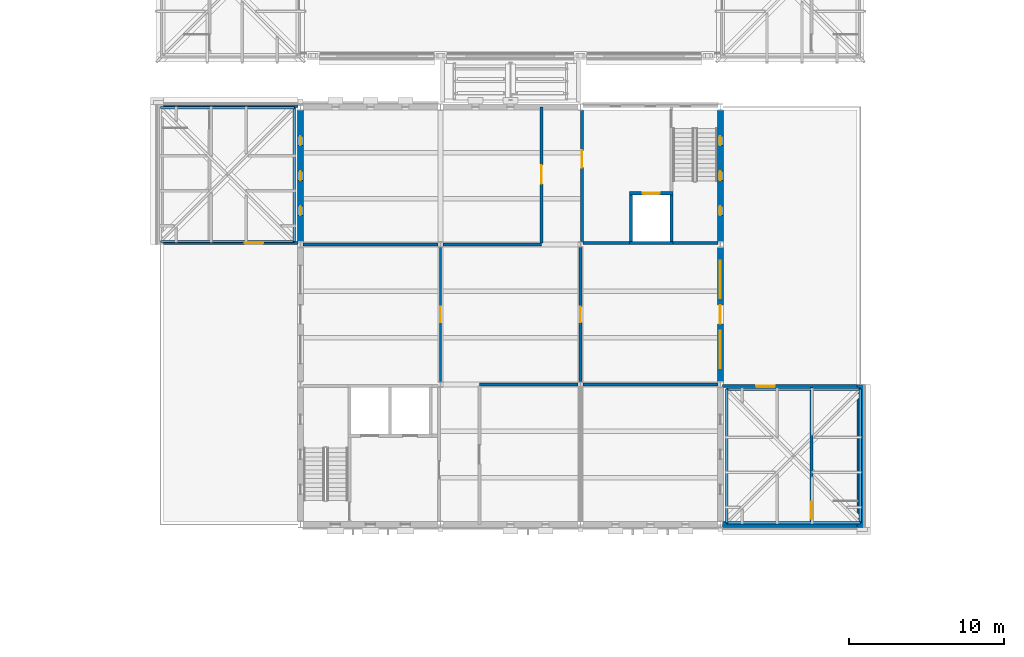
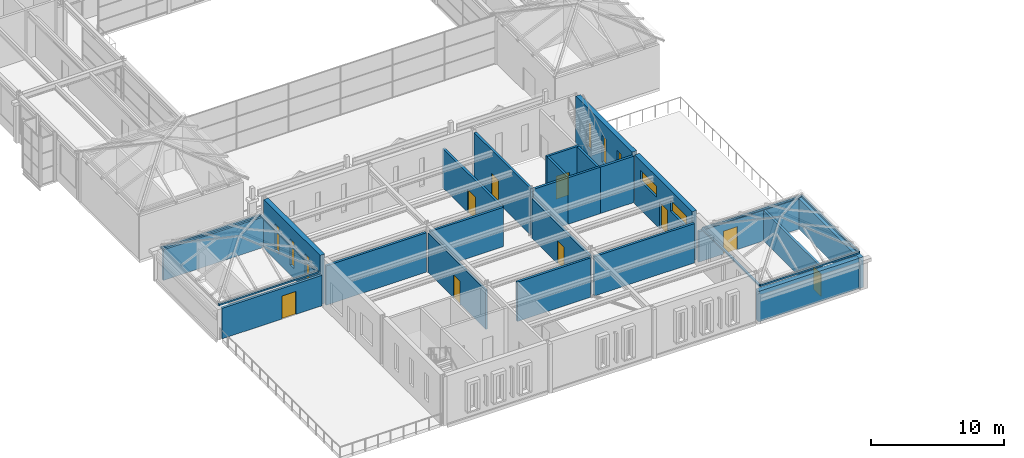
# One storey, part 90 of 149: 30 walls, 9 doors, 8 windows, 17 openings.
"""IFC4 building model written with IfcOpenShell, lengths in metres."""

from ifc_helpers import new_model, si_unit, direction, frame, frame_2d, origin, place, context, subcontext, project, spatial, rectangle, extrude, material, layer, layer_set, type_object, element, fill, save


model = new_model("IFC4")

# Units and contexts
model_context = context("Model", 3, precision=1e-05, world=origin(), true_north=direction((0.0, 1.0)))
body_context = subcontext(model_context, "Body", "Model", "MODEL_VIEW")
ifc_project = project(units=[si_unit("LENGTHUNIT", "METRE"), si_unit("AREAUNIT", "SQUARE_METRE"), si_unit("VOLUMEUNIT", "CUBIC_METRE"), si_unit("PLANEANGLEUNIT", "RADIAN"), si_unit("MASSUNIT", "GRAM", prefix="KILO")], contexts=[model_context])

# Site, building, storey
site_placement = place(None, origin())
site = spatial("IfcSite", under=ifc_project, at=site_placement, CompositionType="ELEMENT")
building_placement = place(site_placement, origin())
building = spatial("IfcBuilding", under=site, at=building_placement, Name="Kallimachos Central Library", CompositionType="ELEMENT")
storey_placement = place(building_placement, frame((0.0, 0.0, 9.89990234375)))
storey = spatial("IfcBuildingStorey", under=building, at=storey_placement, Name="L02", CompositionType="ELEMENT", Elevation=9.89990234375)

# Walls
ifc_material_1 = material(Name="Concrete C30/37", Category="concrete")
ifc_layer_1 = layer(ifc_material_1, 0.199951171875)
ifc_layer_set_1 = layer_set([ifc_layer_1], Name="Compartment wall 200")
wall_type_1 = type_object("IfcWallType", Name="Compartment wall 200", PredefinedType="SOLIDWALL", material=ifc_layer_set_1)
wall_1_placement = place(storey_placement, frame((86.0, 27.0, 0.0), z_axis=(0.0, 0.0, 1.0), x_axis=(1.0, 0.0, 0.0)))
element("IfcWall", 1, at=wall_1_placement, inside=storey, type_object=wall_type_1, Name="V5-WAL-L02-047", PredefinedType="SOLIDWALL", context=body_context, shape_type="SweptSolid", body=[
    extrude(rectangle(XDim=6.345458984375, YDim=0.199951171875, at=frame_2d((3.1728515625, 0.0))), origin(), (0.0, 0.0, 1.0), 3.60009765625),
])
for number, where, z_axis, x_axis, name in (
    (2, (92.654541015625, 27.0, 0.0), (0.0, 0.0, 1.0), (1.0, 0.0, 0.0), "V5-WAL-L02-048"),
    (3, (74.64990234375, 36.0, 0.0), (0.0, 0.0, 1.0), (1.0, 0.0, 0.0), "V5-WAL-L02-049"),
):
    element("IfcWall", number, at=place(storey_placement, frame(where, z_axis=z_axis, x_axis=x_axis)), inside=storey, type_object=wall_type_1, Name=name, PredefinedType="SOLIDWALL", context=body_context, shape_type="SweptSolid", body=[
        extrude(rectangle(XDim=8.695556640625, YDim=0.199951171875, at=frame_2d((4.34765625, 0.0))), origin(), (0.0, 0.0, 1.0), 3.60009765625),
    ])
wall_2_placement = place(storey_placement, frame((83.654541015625, 36.0, 0.0), z_axis=(0.0, 0.0, 1.0), x_axis=(1.0, 0.0, 0.0)))
element("IfcWall", 4, at=wall_2_placement, inside=storey, type_object=wall_type_1, Name="V5-WAL-L02-050", PredefinedType="SOLIDWALL", context=body_context, shape_type="SweptSolid", body=[
    extrude(rectangle(XDim=6.345458984375, YDim=0.199951171875, at=frame_2d((3.1728515625, 0.0))), origin(), (0.0, 0.0, 1.0), 3.60009765625),
])

# Wall, opening, door
wall_3_placement = place(storey_placement, frame((90.0, 36.10009765625, 0.0), z_axis=(0.0, 0.0, 1.0), x_axis=(0.0, 1.0, 0.0)))
wall_3 = element("IfcWall", 5, at=wall_3_placement, inside=storey, type_object=wall_type_1, Name="V5-WAL-L02-053", PredefinedType="SOLIDWALL", context=body_context, shape_type="SweptSolid", body=[
    extrude(rectangle(XDim=8.75, YDim=0.199951171875, at=frame_2d((4.375, 0.0))), origin(), (0.0, 0.0, 1.0), 3.60009765625),
])
opening_1_placement = place(wall_3_placement, frame((3.800048828125, 0.0, 0.0)))
opening_1 = element("IfcOpeningElement", 6, at=opening_1_placement, cuts=wall_3, Name="Opening D118", PredefinedType="OPENING", context=body_context, shape_type="SweptSolid", body=[
    extrude(rectangle(XDim=1.199951171875, YDim=2.10009765625, at=frame_2d((0.60009765625, 1.050048828125))), frame((0.0, 0.10986328125, 0.0), z_axis=(0.0, -1.0, 0.0), x_axis=(1.0, 0.0, 0.0)), (0.0, 0.0, 1.0), 0.219970703125),
])
ifc_material_2 = material(Name="Steel fire door", Category="steel")
door_type_1 = type_object("IfcDoorType", Name="Fire door EI2 90 1200 x 2100", OperationType="DOUBLE_DOOR_SINGLE_SWING", PredefinedType="DOOR", material=ifc_material_2)
door_1_placement = place(opening_1_placement, origin())
door_1 = element("IfcDoor", 7, at=door_1_placement, inside=storey, type_object=door_type_1, Name="Archive Store 1 door", OperationType="DOUBLE_DOOR_SINGLE_SWING", OverallHeight=2.10009765625, OverallWidth=1.199951171875, PredefinedType="DOOR", context=body_context, shape_type="SweptSolid", body=[
    extrude(rectangle(XDim=1.199951171875, YDim=2.10009765625, at=frame_2d((0.60009765625, 1.050048828125))), frame((0.0, 0.02490234375, 0.0), z_axis=(0.0, -1.0, 0.0), x_axis=(1.0, 0.0, 0.0)), (0.0, 0.0, 1.0), 0.050048828125),
])
fill(opening_1, door_1)

wall_4_placement = place(storey_placement, frame((92.5, 27.1884765625, 0.0), z_axis=(0.0, 0.0, 1.0), x_axis=(0.0, 1.0, 0.0)))
wall_4 = element("IfcWall", 8, at=wall_4_placement, inside=storey, type_object=wall_type_1, Name="V5-WAL-L02-054", PredefinedType="SOLIDWALL", context=body_context, shape_type="SweptSolid", body=[
    extrude(rectangle(XDim=8.623046875, YDim=0.199951171875, at=frame_2d((4.3115234375, 0.0))), origin(), (0.0, 0.0, 1.0), 3.60009765625),
])
opening_2_placement = place(wall_4_placement, frame((3.8115234375, 0.0, 0.0)))
opening_2 = element("IfcOpeningElement", 9, at=opening_2_placement, cuts=wall_4, Name="Opening D120", PredefinedType="OPENING", context=body_context, shape_type="SweptSolid", body=[
    extrude(rectangle(XDim=1.0, YDim=2.10009765625, at=frame_2d((0.5, 1.050048828125))), frame((0.0, 0.10986328125, 0.0), z_axis=(0.0, -1.0, 0.0), x_axis=(1.0, 0.0, 0.0)), (0.0, 0.0, 1.0), 0.219970703125),
])
ifc_material_3 = material(Name="Steel fire door", Category="steel")
door_type_2 = type_object("IfcDoorType", Name="Fire door EI2 90 1000 x 2100", OperationType="NOTDEFINED", PredefinedType="DOOR", material=ifc_material_3)
door_2_placement = place(opening_2_placement, frame((1.0, 0.0, 0.0), z_axis=(0.0, 0.0, 1.0), x_axis=(-1.0, 0.0, 0.0)))
door_2 = element("IfcDoor", 10, at=door_2_placement, inside=storey, type_object=door_type_2, Name="Digitisation Room 2 door", OperationType="SINGLE_SWING_LEFT", OverallHeight=2.10009765625, OverallWidth=1.0, PredefinedType="DOOR", context=body_context, shape_type="SweptSolid", body=[
    extrude(rectangle(XDim=1.0, YDim=2.10009765625, at=frame_2d((0.5, 1.050048828125))), frame((0.0, 0.02490234375, 0.0), z_axis=(0.0, -1.0, 0.0), x_axis=(1.0, 0.0, 0.0)), (0.0, 0.0, 1.0), 0.050048828125),
])
fill(opening_2, door_2)

# Walls
ifc_material_4 = material(Name="Concrete C30/37", Category="concrete")
ifc_layer_2 = layer(ifc_material_4, 0.14990234375)
ifc_layer_set_2 = layer_set([ifc_layer_2], Name="Concrete C30/37 eaves kerb 150")
wall_type_2 = type_object("IfcWallType", Name="Concrete C30/37 eaves kerb 150", PredefinedType="SOLIDWALL", material=ifc_layer_set_2)
for number, where, z_axis, x_axis, name in (
    (11, (65.5, 36.199951171875, 3.0), (0.0, 0.0, 1.0), (1.0, 0.0, 0.0), "West stair hipped roof eaves kerb S"),
    (12, (65.5, 44.800048828125, 3.0), (0.0, 0.0, 1.0), (1.0, 0.0, 0.0), "West stair hipped roof eaves kerb N"),
    (13, (74.10009765625, 36.199951171875, 3.0), (0.0, 0.0, 1.0), (0.0, 1.0, 0.0), "West stair hipped roof eaves kerb E"),
    (14, (101.89990234375, 18.10009765625, 3.0), (0.0, 0.0, 1.0), (1.0, 0.0, 0.0), "East stair hipped roof eaves kerb S"),
    (15, (101.89990234375, 26.699951171875, 3.0), (0.0, 0.0, 1.0), (1.0, 0.0, 0.0), "East stair hipped roof eaves kerb N"),
):
    element("IfcWall", number, at=place(storey_placement, frame(where, z_axis=z_axis, x_axis=x_axis)), inside=storey, type_object=wall_type_2, Name=name, PredefinedType="SOLIDWALL", context=body_context, shape_type="SweptSolid", body=[
        extrude(rectangle(XDim=8.60009765625, YDim=0.14990234375, at=frame_2d((4.300048828125, 0.0))), origin(), (0.0, 0.0, 1.0), 0.150146484375),
    ])
for number, where, z_axis, x_axis, name in (
    (16, (101.89990234375, 18.10009765625, 3.0), (0.0, 0.0, 1.0), (0.0, 1.0, 0.0), "East stair hipped roof eaves kerb W"),
    (17, (110.5, 18.10009765625, 3.0), (0.0, 0.0, 1.0), (0.0, 1.0, 0.0), "East stair hipped roof eaves kerb E"),
):
    element("IfcWall", number, at=place(storey_placement, frame(where, z_axis=z_axis, x_axis=x_axis)), inside=storey, type_object=wall_type_2, Name=name, PredefinedType="SOLIDWALL", context=body_context, shape_type="SweptSolid", body=[
        extrude(rectangle(XDim=8.599853515625, YDim=0.14990234375, at=frame_2d((4.2998046875, 0.0))), origin(), (0.0, 0.0, 1.0), 0.150146484375),
    ])

# Wall, opening, door
ifc_material_5 = material(Name="Concrete C30/37", Category="concrete")
ifc_layer_3 = layer(ifc_material_5, 0.199951171875)
ifc_layer_set_3 = layer_set([ifc_layer_3], Name="Core wall 200")
wall_type_3 = type_object("IfcWallType", Name="Core wall 200", PredefinedType="SOLIDWALL", material=ifc_layer_set_3)
wall_5_placement = place(storey_placement, frame((65.699951171875, 36.10009765625, 0.0), z_axis=(0.0, 0.0, 1.0), x_axis=(1.0, 0.0, 0.0)))
wall_5 = element("IfcWall", 18, at=wall_5_placement, inside=storey, type_object=wall_type_3, Name="V5-WAL-L02-032", PredefinedType="SOLIDWALL", context=body_context, shape_type="SweptSolid", body=[
    extrude(rectangle(XDim=8.650146484375, YDim=0.199951171875, at=frame_2d((4.3251953125, 0.0))), origin(), (0.0, 0.0, 1.0), 2.800048828125),
])
opening_3_placement = place(wall_5_placement, frame((5.199951171875, 0.0, 0.0)))
opening_3 = element("IfcOpeningElement", 19, at=opening_3_placement, cuts=wall_5, Name="Opening D114", PredefinedType="OPENING", context=body_context, shape_type="SweptSolid", body=[
    extrude(rectangle(XDim=1.199951171875, YDim=2.10009765625, at=frame_2d((0.60009765625, 1.050048828125))), frame((0.0, 0.10986328125, 0.0), z_axis=(0.0, -1.0, 0.0), x_axis=(1.0, 0.0, 0.0)), (0.0, 0.0, 1.0), 0.219970703125),
])
door_3_placement = place(opening_3_placement, origin())
door_3 = element("IfcDoor", 20, at=door_3_placement, inside=storey, type_object=door_type_1, Name="ST15 lobby door L02", OperationType="DOUBLE_DOOR_SINGLE_SWING", OverallHeight=2.10009765625, OverallWidth=1.199951171875, PredefinedType="DOOR", context=body_context, shape_type="SweptSolid", body=[
    extrude(rectangle(XDim=1.199951171875, YDim=2.10009765625, at=frame_2d((0.60009765625, 1.050048828125))), frame((0.0, 0.02490234375, 0.0), z_axis=(0.0, -1.0, 0.0), x_axis=(1.0, 0.0, 0.0)), (0.0, 0.0, 1.0), 0.050048828125),
])
fill(opening_3, door_3)

wall_6_placement = place(storey_placement, frame((101.64990234375, 26.89990234375, 0.0), z_axis=(0.0, 0.0, 1.0), x_axis=(1.0, 0.0, 0.0)))
wall_6 = element("IfcWall", 21, at=wall_6_placement, inside=storey, type_object=wall_type_3, Name="V5-WAL-L02-035", PredefinedType="SOLIDWALL", context=body_context, shape_type="SweptSolid", body=[
    extrude(rectangle(XDim=8.650146484375, YDim=0.199951171875, at=frame_2d((4.3251953125, 0.0))), origin(), (0.0, 0.0, 1.0), 2.800048828125),
])
opening_4_placement = place(wall_6_placement, frame((2.14990234375, 0.0, 0.0)))
opening_4 = element("IfcOpeningElement", 22, at=opening_4_placement, cuts=wall_6, Name="Opening D116", PredefinedType="OPENING", context=body_context, shape_type="SweptSolid", body=[
    extrude(rectangle(XDim=1.199951171875, YDim=2.10009765625, at=frame_2d((0.60009765625, 1.050048828125))), frame((0.0, 0.10986328125, 0.0), z_axis=(0.0, -1.0, 0.0), x_axis=(1.0, 0.0, 0.0)), (0.0, 0.0, 1.0), 0.219970703125),
])
door_4_placement = place(opening_4_placement, origin())
door_4 = element("IfcDoor", 23, at=door_4_placement, inside=storey, type_object=door_type_1, Name="ST16 lobby door L02", OperationType="DOUBLE_DOOR_SINGLE_SWING", OverallHeight=2.10009765625, OverallWidth=1.199951171875, PredefinedType="DOOR", context=body_context, shape_type="SweptSolid", body=[
    extrude(rectangle(XDim=1.199951171875, YDim=2.10009765625, at=frame_2d((0.60009765625, 1.050048828125))), frame((0.0, 0.02490234375, 0.0), z_axis=(0.0, -1.0, 0.0), x_axis=(1.0, 0.0, 0.0)), (0.0, 0.0, 1.0), 0.050048828125),
])
fill(opening_4, door_4)

# Walls
wall_7_placement = place(storey_placement, frame((92.654541015625, 36.10009765625, 0.0), z_axis=(0.0, 0.0, 1.0), x_axis=(1.0, 0.0, 0.0)))
element("IfcWall", 24, at=wall_7_placement, inside=storey, type_object=wall_type_3, Name="V5-WAL-L02-041", PredefinedType="SOLIDWALL", context=body_context, shape_type="SweptSolid", body=[
    extrude(rectangle(XDim=2.995361328125, YDim=0.199951171875, at=frame_2d((1.49755859375, 0.0))), origin(), (0.0, 0.0, 1.0), 4.25),
])
wall_8_placement = place(storey_placement, frame((98.449951171875, 36.10009765625, 0.0), z_axis=(0.0, 0.0, 1.0), x_axis=(1.0, 0.0, 0.0)))
element("IfcWall", 25, at=wall_8_placement, inside=storey, type_object=wall_type_3, Name="V5-WAL-L02-042", PredefinedType="SOLIDWALL", context=body_context, shape_type="SweptSolid", body=[
    extrude(rectangle(XDim=2.900146484375, YDim=0.199951171875, at=frame_2d((1.4501953125, 0.0))), origin(), (0.0, 0.0, 1.0), 4.25),
])

# Wall, opening, door
wall_9_placement = place(storey_placement, frame((92.60009765625, 36.1884765625, 0.0), z_axis=(0.0, 0.0, 1.0), x_axis=(0.0, 1.0, 0.0)))
wall_9 = element("IfcWall", 26, at=wall_9_placement, inside=storey, type_object=wall_type_3, Name="V5-WAL-L02-043", PredefinedType="SOLIDWALL", context=body_context, shape_type="SweptSolid", body=[
    extrude(rectangle(XDim=8.46142578125, YDim=0.199951171875, at=frame_2d((4.230712890625, 0.0))), origin(), (0.0, 0.0, 1.0), 4.25),
])
opening_5_placement = place(wall_9_placement, frame((4.761474609375, 0.0, 0.0)))
opening_5 = element("IfcOpeningElement", 27, at=opening_5_placement, cuts=wall_9, Name="Opening D112", PredefinedType="OPENING", context=body_context, shape_type="SweptSolid", body=[
    extrude(rectangle(XDim=1.10009765625, YDim=2.10009765625, at=frame_2d((0.550048828125, 1.050048828125))), frame((0.0, 0.10986328125, 0.0), z_axis=(0.0, -1.0, 0.0), x_axis=(1.0, 0.0, 0.0)), (0.0, 0.0, 1.0), 0.219970703125),
])
ifc_material_6 = material(Name="Steel fire door", Category="steel")
door_type_3 = type_object("IfcDoorType", Name="Fire door EI2 90 1100 x 2100", OperationType="NOTDEFINED", PredefinedType="DOOR", material=ifc_material_6)
door_5_placement = place(opening_5_placement, frame((1.10009765625, 0.0, 0.0), z_axis=(0.0, 0.0, 1.0), x_axis=(-1.0, 0.0, 0.0)))
door_5 = element("IfcDoor", 28, at=door_5_placement, inside=storey, type_object=door_type_3, Name="ST14 lobby door L02", OperationType="SINGLE_SWING_LEFT", OverallHeight=2.10009765625, OverallWidth=1.10009765625, PredefinedType="DOOR", context=body_context, shape_type="SweptSolid", body=[
    extrude(rectangle(XDim=1.10009765625, YDim=2.10009765625, at=frame_2d((0.550048828125, 1.050048828125))), frame((0.0, 0.02490234375, 0.0), z_axis=(0.0, -1.0, 0.0), x_axis=(1.0, 0.0, 0.0)), (0.0, 0.0, 1.0), 0.050048828125),
])
fill(opening_5, door_5)

wall_10_placement = place(storey_placement, frame((107.35009765625, 18.199951171875, 0.0), z_axis=(0.0, 0.0, 1.0), x_axis=(0.0, 1.0, 0.0)))
wall_10 = element("IfcWall", 29, at=wall_10_placement, inside=storey, type_object=wall_type_3, Name="V5-WAL-L02-046", PredefinedType="SOLIDWALL", context=body_context, shape_type="SweptSolid", body=[
    extrude(rectangle(XDim=8.60009765625, YDim=0.199951171875, at=frame_2d((4.300048828125, 0.0))), origin(), (0.0, 0.0, 1.0), 2.800048828125),
])
opening_6_placement = place(wall_10_placement, frame((0.14990234375, 0.0, 0.0)))
opening_6 = element("IfcOpeningElement", 30, at=opening_6_placement, cuts=wall_10, Name="Opening D115", PredefinedType="OPENING", context=body_context, shape_type="SweptSolid", body=[
    extrude(rectangle(XDim=1.10009765625, YDim=2.10009765625, at=frame_2d((0.550048828125, 1.050048828125))), frame((0.0, 0.10986328125, 0.0), z_axis=(0.0, -1.0, 0.0), x_axis=(1.0, 0.0, 0.0)), (0.0, 0.0, 1.0), 0.219970703125),
])
door_6_placement = place(opening_6_placement, frame((1.10009765625, 0.0, 0.0), z_axis=(0.0, 0.0, 1.0), x_axis=(-1.0, 0.0, 0.0)))
door_6 = element("IfcDoor", 31, at=door_6_placement, inside=storey, type_object=door_type_3, Name="ST16 stair door L02", OperationType="SINGLE_SWING_LEFT", OverallHeight=2.10009765625, OverallWidth=1.10009765625, PredefinedType="DOOR", context=body_context, shape_type="SweptSolid", body=[
    extrude(rectangle(XDim=1.10009765625, YDim=2.10009765625, at=frame_2d((0.550048828125, 1.050048828125))), frame((0.0, 0.02490234375, 0.0), z_axis=(0.0, -1.0, 0.0), x_axis=(1.0, 0.0, 0.0)), (0.0, 0.0, 1.0), 0.050048828125),
])
fill(opening_6, door_6)

ifc_material_7 = material(Name="Gypsum board partition")
ifc_layer_4 = layer(ifc_material_7, 0.14990234375)
ifc_layer_set_4 = layer_set([ifc_layer_4], Name="Fire-resisting partition 150")
wall_type_4 = type_object("IfcWallType", Name="Fire-resisting partition 150", PredefinedType="PARTITIONING", material=ifc_layer_set_4)
wall_11_placement = place(storey_placement, frame((83.5, 27.1884765625, 0.0), z_axis=(0.0, 0.0, 1.0), x_axis=(0.0, 1.0, 0.0)))
wall_11 = element("IfcWall", 32, at=wall_11_placement, inside=storey, type_object=wall_type_4, Name="V5-WAL-L02-051", PredefinedType="PARTITIONING", context=body_context, shape_type="SweptSolid", body=[
    extrude(rectangle(XDim=8.623046875, YDim=0.14990234375, at=frame_2d((4.3115234375, 0.0))), origin(), (0.0, 0.0, 1.0), 3.60009765625),
])
opening_7_placement = place(wall_11_placement, frame((3.8115234375, 0.0, 0.0)))
opening_7 = element("IfcOpeningElement", 33, at=opening_7_placement, cuts=wall_11, Name="Opening D117", PredefinedType="OPENING", context=body_context, shape_type="SweptSolid", body=[
    extrude(rectangle(XDim=1.0, YDim=2.10009765625, at=frame_2d((0.5, 1.050048828125))), frame((0.0, 0.0849609375, 0.0), z_axis=(0.0, -1.0, 0.0), x_axis=(1.0, 0.0, 0.0)), (0.0, 0.0, 1.0), 0.169921875),
])
ifc_material_8 = material(Name="Steel fire door", Category="steel")
door_type_4 = type_object("IfcDoorType", Name="Fire door EI2 30 1000 x 2100", OperationType="NOTDEFINED", PredefinedType="DOOR", material=ifc_material_8)
door_7_placement = place(opening_7_placement, origin())
door_7 = element("IfcDoor", 34, at=door_7_placement, inside=storey, type_object=door_type_4, Name="Staff Room door", OperationType="SINGLE_SWING_RIGHT", OverallHeight=2.10009765625, OverallWidth=1.0, PredefinedType="DOOR", context=body_context, shape_type="SweptSolid", body=[
    extrude(rectangle(XDim=1.0, YDim=2.10009765625, at=frame_2d((0.5, 1.050048828125))), frame((0.0, 0.02490234375, 0.0), z_axis=(0.0, -1.0, 0.0), x_axis=(1.0, 0.0, 0.0)), (0.0, 0.0, 1.0), 0.050048828125),
])
fill(opening_7, door_7)

# Wall
ifc_material_9 = material(Name="Concrete C30/37", Category="concrete")
ifc_layer_5 = layer(ifc_material_9, 0.199951171875)
ifc_layer_set_5 = layer_set([ifc_layer_5], Name="Lift shaft wall 200")
wall_type_5 = type_object("IfcWallType", Name="Lift shaft wall 200", PredefinedType="SOLIDWALL", material=ifc_layer_set_5)
wall_12_placement = place(storey_placement, frame((95.64990234375, 36.10009765625, 0.0), z_axis=(0.0, 0.0, 1.0), x_axis=(1.0, 0.0, 0.0)))
element("IfcWall", 35, at=wall_12_placement, inside=storey, type_object=wall_type_5, Name="V5-WAL-L02-006", PredefinedType="SOLIDWALL", context=body_context, shape_type="SweptSolid", body=[
    extrude(rectangle(XDim=2.800048828125, YDim=0.199951171875, at=frame_2d((1.39990234375, 0.0))), origin(), (0.0, 0.0, 1.0), 4.25),
])

# Wall, opening, door
wall_13_placement = place(storey_placement, frame((95.64990234375, 39.300048828125, 0.0), z_axis=(0.0, 0.0, 1.0), x_axis=(1.0, 0.0, 0.0)))
wall_13 = element("IfcWall", 36, at=wall_13_placement, inside=storey, type_object=wall_type_5, Name="V5-WAL-L02-007", PredefinedType="SOLIDWALL", context=body_context, shape_type="SweptSolid", body=[
    extrude(rectangle(XDim=2.800048828125, YDim=0.199951171875, at=frame_2d((1.39990234375, 0.0))), origin(), (0.0, 0.0, 1.0), 4.25),
])
opening_8_placement = place(wall_13_placement, frame((0.85009765625, 0.0, 0.0)))
opening_8 = element("IfcOpeningElement", 37, at=opening_8_placement, cuts=wall_13, Name="Opening LD1100", PredefinedType="OPENING", context=body_context, shape_type="SweptSolid", body=[
    extrude(rectangle(XDim=1.10009765625, YDim=2.10009765625, at=frame_2d((0.550048828125, 1.050048828125))), frame((0.0, 0.10986328125, 0.0), z_axis=(0.0, -1.0, 0.0), x_axis=(1.0, 0.0, 0.0)), (0.0, 0.0, 1.0), 0.219970703125),
])
ifc_material_10 = material(Name="Stainless steel", Category="steel")
door_type_5 = type_object("IfcDoorType", Name="Lift landing door 1100 x 2100", OperationType="SLIDING_TO_LEFT", PredefinedType="DOOR", material=ifc_material_10)
door_8_placement = place(opening_8_placement, origin())
door_8 = element("IfcDoor", 38, at=door_8_placement, inside=storey, type_object=door_type_5, Name="LF13 landing door L02", OperationType="SLIDING_TO_LEFT", OverallHeight=2.10009765625, OverallWidth=1.10009765625, PredefinedType="DOOR", context=body_context, shape_type="SweptSolid", body=[
    extrude(rectangle(XDim=1.10009765625, YDim=2.10009765625, at=frame_2d((0.550048828125, 1.050048828125))), frame((0.0, 0.02490234375, 0.0), z_axis=(0.0, -1.0, 0.0), x_axis=(1.0, 0.0, 0.0)), (0.0, 0.0, 1.0), 0.050048828125),
])
fill(opening_8, door_8)

# Walls
for number, where, z_axis, x_axis, name in (
    (39, (95.75, 36.199951171875, 0.0), (0.0, 0.0, 1.0), (0.0, 1.0, 0.0), "V5-WAL-L02-008"),
    (40, (98.35009765625, 36.199951171875, 0.0), (0.0, 0.0, 1.0), (0.0, 1.0, 0.0), "V5-WAL-L02-009"),
):
    element("IfcWall", number, at=place(storey_placement, frame(where, z_axis=z_axis, x_axis=x_axis)), inside=storey, type_object=wall_type_5, Name=name, PredefinedType="SOLIDWALL", context=body_context, shape_type="SweptSolid", body=[
        extrude(rectangle(XDim=3.0, YDim=0.199951171875, at=frame_2d((1.5, 0.0))), origin(), (0.0, 0.0, 1.0), 4.25),
    ])

# Wall, openings, windows, door
ifc_material_11 = material(Name="Pentelic marble masonry", Category="masonry")
ifc_layer_6 = layer(ifc_material_11, 0.39990234375)
ifc_layer_set_6 = layer_set([ifc_layer_6], Name="Stone masonry wall 400")
wall_type_6 = type_object("IfcWallType", Name="Stone masonry wall 400", PredefinedType="SOLIDWALL", material=ifc_layer_set_6)
wall_14_placement = place(storey_placement, frame((101.5, 27.199951171875, 0.0), z_axis=(0.0, 0.0, 1.0), x_axis=(0.0, 1.0, 0.0)))
wall_14 = element("IfcWall", 41, at=wall_14_placement, inside=storey, type_object=wall_type_6, Name="V5-WAL-L02-028", PredefinedType="SOLIDWALL", context=body_context, shape_type="SweptSolid", body=[
    extrude(rectangle(XDim=8.60009765625, YDim=0.39990234375, at=frame_2d((4.300048828125, 0.0))), origin(), (0.0, 0.0, 1.0), 4.5),
])
opening_9_placement = place(wall_14_placement, frame((3.699951171875, 0.0, 0.0)))
opening_9 = element("IfcOpeningElement", 42, at=opening_9_placement, cuts=wall_14, Name="Opening D24", PredefinedType="OPENING", context=body_context, shape_type="SweptSolid", body=[
    extrude(rectangle(XDim=1.199951171875, YDim=2.39990234375, at=frame_2d((0.60009765625, 1.199951171875))), frame((0.0, 0.2099609375, 0.0), z_axis=(0.0, -1.0, 0.0), x_axis=(1.0, 0.0, 0.0)), (0.0, 0.0, 1.0), 0.419921875),
])
opening_10_placement = place(wall_14_placement, frame((0.85009765625, 0.0, 2.60009765625)))
opening_10 = element("IfcOpeningElement", 43, at=opening_10_placement, cuts=wall_14, Name="Opening WN95", PredefinedType="OPENING", context=body_context, shape_type="SweptSolid", body=[
    extrude(rectangle(XDim=2.39990234375, YDim=1.0, at=frame_2d((1.199951171875, 0.5))), frame((0.0, 0.2099609375, 0.0), z_axis=(0.0, -1.0, 0.0), x_axis=(1.0, 0.0, 0.0)), (0.0, 0.0, 1.0), 0.419921875),
])
opening_11_placement = place(wall_14_placement, frame((5.35009765625, 0.0, 2.60009765625)))
opening_11 = element("IfcOpeningElement", 44, at=opening_11_placement, cuts=wall_14, Name="Opening WN96", PredefinedType="OPENING", context=body_context, shape_type="SweptSolid", body=[
    extrude(rectangle(XDim=2.39990234375, YDim=1.0, at=frame_2d((1.199951171875, 0.5))), frame((0.0, 0.2099609375, 0.0), z_axis=(0.0, -1.0, 0.0), x_axis=(1.0, 0.0, 0.0)), (0.0, 0.0, 1.0), 0.419921875),
])
ifc_material_12 = material(Name="Anodised aluminium and laminated glass", Category="aluminium")
window_type_1 = type_object("IfcWindowType", Name="Clerestory window 2400 x 1000", PartitioningType="SINGLE_PANEL", PredefinedType="WINDOW", material=ifc_material_12)
window_1_placement = place(opening_10_placement, origin())
window_1 = element("IfcWindow", 45, at=window_1_placement, inside=storey, type_object=window_type_1, Name="V5-WIN-L02-028", OverallHeight=1.0, OverallWidth=2.39990234375, PartitioningType="SINGLE_PANEL", PredefinedType="WINDOW", context=body_context, shape_type="SweptSolid", body=[
    extrude(rectangle(XDim=2.39990234375, YDim=1.0, at=frame_2d((1.199951171875, 0.5))), frame((0.0, 0.030029296875, 0.0), z_axis=(0.0, -1.0, 0.0), x_axis=(1.0, 0.0, 0.0)), (0.0, 0.0, 1.0), 0.06005859375),
])
fill(opening_10, window_1)
window_2_placement = place(opening_11_placement, origin())
window_2 = element("IfcWindow", 46, at=window_2_placement, inside=storey, type_object=window_type_1, Name="V5-WIN-L02-029", OverallHeight=1.0, OverallWidth=2.39990234375, PartitioningType="SINGLE_PANEL", PredefinedType="WINDOW", context=body_context, shape_type="SweptSolid", body=[
    extrude(rectangle(XDim=2.39990234375, YDim=1.0, at=frame_2d((1.199951171875, 0.5))), frame((0.0, 0.030029296875, 0.0), z_axis=(0.0, -1.0, 0.0), x_axis=(1.0, 0.0, 0.0)), (0.0, 0.0, 1.0), 0.06005859375),
])
fill(opening_11, window_2)
ifc_material_13 = material(Name="Anodised aluminium and laminated glass", Category="aluminium")
door_type_6 = type_object("IfcDoorType", Name="Garden door 1200 x 2400", OperationType="DOUBLE_DOOR_SINGLE_SWING", PredefinedType="DOOR", material=ifc_material_13)
door_9_placement = place(opening_9_placement, frame((1.199951171875, 0.0, 0.0), z_axis=(0.0, 0.0, 1.0), x_axis=(-1.0, 0.0, 0.0)))
door_9 = element("IfcDoor", 47, at=door_9_placement, inside=storey, type_object=door_type_6, Name="East garden door", OperationType="DOUBLE_DOOR_SINGLE_SWING", OverallHeight=2.39990234375, OverallWidth=1.199951171875, PredefinedType="DOOR", context=body_context, shape_type="SweptSolid", body=[
    extrude(rectangle(XDim=1.199951171875, YDim=2.39990234375, at=frame_2d((0.60009765625, 1.199951171875))), frame((0.0, 0.02490234375, 0.0), z_axis=(0.0, -1.0, 0.0), x_axis=(1.0, 0.0, 0.0)), (0.0, 0.0, 1.0), 0.050048828125),
])
fill(opening_9, door_9)

# Wall
ifc_material_14 = material(Name="Concrete C30/37", Category="concrete")
ifc_layer_7 = layer(ifc_material_14, 0.199951171875)
ifc_layer_set_7 = layer_set([ifc_layer_7], Name="Stone-clad core wall 200")
wall_type_7 = type_object("IfcWallType", Name="Stone-clad core wall 200", PredefinedType="SOLIDWALL", material=ifc_layer_set_7)
wall_15_placement = place(storey_placement, frame((65.699951171875, 44.89990234375, 0.0), z_axis=(0.0, 0.0, 1.0), x_axis=(1.0, 0.0, 0.0)))
element("IfcWall", 48, at=wall_15_placement, inside=storey, type_object=wall_type_7, Name="V5-WAL-L02-031", PredefinedType="SOLIDWALL", context=body_context, shape_type="SweptSolid", body=[
    extrude(rectangle(XDim=8.650146484375, YDim=0.199951171875, at=frame_2d((4.3251953125, 0.0))), origin(), (0.0, 0.0, 1.0), 2.800048828125),
])

# Wall, openings, windows
ifc_material_15 = material(Name="Concrete C30/37", Category="concrete")
ifc_layer_8 = layer(ifc_material_15, 0.39990234375)
ifc_layer_set_8 = layer_set([ifc_layer_8], Name="Stone-clad core wall 400")
wall_type_8 = type_object("IfcWallType", Name="Stone-clad core wall 400", PredefinedType="SOLIDWALL", material=ifc_layer_set_8)
wall_16_placement = place(storey_placement, frame((74.5, 36.199951171875, 0.0), z_axis=(0.0, 0.0, 1.0), x_axis=(0.0, 1.0, 0.0)))
wall_16 = element("IfcWall", 49, at=wall_16_placement, inside=storey, type_object=wall_type_8, Name="V5-WAL-L02-026", PredefinedType="SOLIDWALL", context=body_context, shape_type="SweptSolid", body=[
    extrude(rectangle(XDim=8.449951171875, YDim=0.39990234375, at=frame_2d((4.22509765625, 0.0))), origin(), (0.0, 0.0, 1.0), 4.5),
])
opening_12_placement = place(wall_16_placement, frame((1.675048828125, 0.0, 0.89990234375)))
opening_12 = element("IfcOpeningElement", 50, at=opening_12_placement, cuts=wall_16, Name="Opening WN89", PredefinedType="OPENING", context=body_context, shape_type="SweptSolid", body=[
    extrude(rectangle(XDim=0.60009765625, YDim=2.39990234375, at=frame_2d((0.300048828125, 1.199951171875))), frame((0.0, 0.2099609375, 0.0), z_axis=(0.0, -1.0, 0.0), x_axis=(1.0, 0.0, 0.0)), (0.0, 0.0, 1.0), 0.419921875),
])
opening_13_placement = place(wall_16_placement, frame((3.925048828125, 0.0, 0.89990234375)))
opening_13 = element("IfcOpeningElement", 51, at=opening_13_placement, cuts=wall_16, Name="Opening WN90", PredefinedType="OPENING", context=body_context, shape_type="SweptSolid", body=[
    extrude(rectangle(XDim=0.60009765625, YDim=2.39990234375, at=frame_2d((0.300048828125, 1.199951171875))), frame((0.0, 0.2099609375, 0.0), z_axis=(0.0, -1.0, 0.0), x_axis=(1.0, 0.0, 0.0)), (0.0, 0.0, 1.0), 0.419921875),
])
opening_14_placement = place(wall_16_placement, frame((6.175048828125, 0.0, 0.89990234375)))
opening_14 = element("IfcOpeningElement", 52, at=opening_14_placement, cuts=wall_16, Name="Opening WN91", PredefinedType="OPENING", context=body_context, shape_type="SweptSolid", body=[
    extrude(rectangle(XDim=0.60009765625, YDim=2.39990234375, at=frame_2d((0.300048828125, 1.199951171875))), frame((0.0, 0.2099609375, 0.0), z_axis=(0.0, -1.0, 0.0), x_axis=(1.0, 0.0, 0.0)), (0.0, 0.0, 1.0), 0.419921875),
])
ifc_material_16 = material(Name="Anodised aluminium and laminated glass", Category="aluminium")
window_type_2 = type_object("IfcWindowType", Name="Slot window 600 x 2400", PartitioningType="SINGLE_PANEL", PredefinedType="WINDOW", material=ifc_material_16)
window_3_placement = place(opening_12_placement, origin())
window_3 = element("IfcWindow", 53, at=window_3_placement, inside=storey, type_object=window_type_2, Name="V5-WIN-L02-022", OverallHeight=2.39990234375, OverallWidth=0.60009765625, PartitioningType="SINGLE_PANEL", PredefinedType="WINDOW", context=body_context, shape_type="SweptSolid", body=[
    extrude(rectangle(XDim=0.60009765625, YDim=2.39990234375, at=frame_2d((0.300048828125, 1.199951171875))), frame((0.0, 0.030029296875, 0.0), z_axis=(0.0, -1.0, 0.0), x_axis=(1.0, 0.0, 0.0)), (0.0, 0.0, 1.0), 0.06005859375),
])
fill(opening_12, window_3)
window_4_placement = place(opening_13_placement, origin())
window_4 = element("IfcWindow", 54, at=window_4_placement, inside=storey, type_object=window_type_2, Name="V5-WIN-L02-023", OverallHeight=2.39990234375, OverallWidth=0.60009765625, PartitioningType="SINGLE_PANEL", PredefinedType="WINDOW", context=body_context, shape_type="SweptSolid", body=[
    extrude(rectangle(XDim=0.60009765625, YDim=2.39990234375, at=frame_2d((0.300048828125, 1.199951171875))), frame((0.0, 0.030029296875, 0.0), z_axis=(0.0, -1.0, 0.0), x_axis=(1.0, 0.0, 0.0)), (0.0, 0.0, 1.0), 0.06005859375),
])
fill(opening_13, window_4)
window_5_placement = place(opening_14_placement, origin())
window_5 = element("IfcWindow", 55, at=window_5_placement, inside=storey, type_object=window_type_2, Name="V5-WIN-L02-024", OverallHeight=2.39990234375, OverallWidth=0.60009765625, PartitioningType="SINGLE_PANEL", PredefinedType="WINDOW", context=body_context, shape_type="SweptSolid", body=[
    extrude(rectangle(XDim=0.60009765625, YDim=2.39990234375, at=frame_2d((0.300048828125, 1.199951171875))), frame((0.0, 0.030029296875, 0.0), z_axis=(0.0, -1.0, 0.0), x_axis=(1.0, 0.0, 0.0)), (0.0, 0.0, 1.0), 0.06005859375),
])
fill(opening_14, window_5)

wall_17_placement = place(storey_placement, frame((101.5, 36.199951171875, 0.0), z_axis=(0.0, 0.0, 1.0), x_axis=(0.0, 1.0, 0.0)))
wall_17 = element("IfcWall", 56, at=wall_17_placement, inside=storey, type_object=wall_type_8, Name="V5-WAL-L02-029", PredefinedType="SOLIDWALL", context=body_context, shape_type="SweptSolid", body=[
    extrude(rectangle(XDim=8.449951171875, YDim=0.39990234375, at=frame_2d((4.22509765625, 0.0))), origin(), (0.0, 0.0, 1.0), 4.5),
])
opening_15_placement = place(wall_17_placement, frame((1.675048828125, 0.0, 0.89990234375)))
opening_15 = element("IfcOpeningElement", 57, at=opening_15_placement, cuts=wall_17, Name="Opening WN97", PredefinedType="OPENING", context=body_context, shape_type="SweptSolid", body=[
    extrude(rectangle(XDim=0.60009765625, YDim=2.39990234375, at=frame_2d((0.300048828125, 1.199951171875))), frame((0.0, 0.2099609375, 0.0), z_axis=(0.0, -1.0, 0.0), x_axis=(1.0, 0.0, 0.0)), (0.0, 0.0, 1.0), 0.419921875),
])
opening_16_placement = place(wall_17_placement, frame((3.925048828125, 0.0, 0.89990234375)))
opening_16 = element("IfcOpeningElement", 58, at=opening_16_placement, cuts=wall_17, Name="Opening WN98", PredefinedType="OPENING", context=body_context, shape_type="SweptSolid", body=[
    extrude(rectangle(XDim=0.60009765625, YDim=2.39990234375, at=frame_2d((0.300048828125, 1.199951171875))), frame((0.0, 0.2099609375, 0.0), z_axis=(0.0, -1.0, 0.0), x_axis=(1.0, 0.0, 0.0)), (0.0, 0.0, 1.0), 0.419921875),
])
opening_17_placement = place(wall_17_placement, frame((6.175048828125, 0.0, 0.89990234375)))
opening_17 = element("IfcOpeningElement", 59, at=opening_17_placement, cuts=wall_17, Name="Opening WN99", PredefinedType="OPENING", context=body_context, shape_type="SweptSolid", body=[
    extrude(rectangle(XDim=0.60009765625, YDim=2.39990234375, at=frame_2d((0.300048828125, 1.199951171875))), frame((0.0, 0.2099609375, 0.0), z_axis=(0.0, -1.0, 0.0), x_axis=(1.0, 0.0, 0.0)), (0.0, 0.0, 1.0), 0.419921875),
])
window_6_placement = place(opening_15_placement, origin())
window_6 = element("IfcWindow", 60, at=window_6_placement, inside=storey, type_object=window_type_2, Name="V5-WIN-L02-030", OverallHeight=2.39990234375, OverallWidth=0.60009765625, PartitioningType="SINGLE_PANEL", PredefinedType="WINDOW", context=body_context, shape_type="SweptSolid", body=[
    extrude(rectangle(XDim=0.60009765625, YDim=2.39990234375, at=frame_2d((0.300048828125, 1.199951171875))), frame((0.0, 0.030029296875, 0.0), z_axis=(0.0, -1.0, 0.0), x_axis=(1.0, 0.0, 0.0)), (0.0, 0.0, 1.0), 0.06005859375),
])
fill(opening_15, window_6)
window_7_placement = place(opening_16_placement, origin())
window_7 = element("IfcWindow", 61, at=window_7_placement, inside=storey, type_object=window_type_2, Name="V5-WIN-L02-031", OverallHeight=2.39990234375, OverallWidth=0.60009765625, PartitioningType="SINGLE_PANEL", PredefinedType="WINDOW", context=body_context, shape_type="SweptSolid", body=[
    extrude(rectangle(XDim=0.60009765625, YDim=2.39990234375, at=frame_2d((0.300048828125, 1.199951171875))), frame((0.0, 0.030029296875, 0.0), z_axis=(0.0, -1.0, 0.0), x_axis=(1.0, 0.0, 0.0)), (0.0, 0.0, 1.0), 0.06005859375),
])
fill(opening_16, window_7)
window_8_placement = place(opening_17_placement, origin())
window_8 = element("IfcWindow", 62, at=window_8_placement, inside=storey, type_object=window_type_2, Name="V5-WIN-L02-032", OverallHeight=2.39990234375, OverallWidth=0.60009765625, PartitioningType="SINGLE_PANEL", PredefinedType="WINDOW", context=body_context, shape_type="SweptSolid", body=[
    extrude(rectangle(XDim=0.60009765625, YDim=2.39990234375, at=frame_2d((0.300048828125, 1.199951171875))), frame((0.0, 0.030029296875, 0.0), z_axis=(0.0, -1.0, 0.0), x_axis=(1.0, 0.0, 0.0)), (0.0, 0.0, 1.0), 0.06005859375),
])
fill(opening_17, window_8)

# Walls
wall_18_placement = place(storey_placement, frame((110.5, 17.800048828125, 0.0), z_axis=(0.0, 0.0, 1.0), x_axis=(0.0, 1.0, 0.0)))
element("IfcWall", 63, at=wall_18_placement, inside=storey, type_object=wall_type_8, Name="V5-WAL-L02-033", PredefinedType="SOLIDWALL", context=body_context, shape_type="SweptSolid", body=[
    extrude(rectangle(XDim=9.199951171875, YDim=0.39990234375, at=frame_2d((4.60009765625, 0.0))), origin(), (0.0, 0.0, 1.0), 2.800048828125),
])
wall_19_placement = place(storey_placement, frame((101.64990234375, 18.0, 0.0), z_axis=(0.0, 0.0, 1.0), x_axis=(1.0, 0.0, 0.0)))
element("IfcWall", 64, at=wall_19_placement, inside=storey, type_object=wall_type_8, Name="V5-WAL-L02-034", PredefinedType="SOLIDWALL", context=body_context, shape_type="SweptSolid", body=[
    extrude(rectangle(XDim=8.650146484375, YDim=0.39990234375, at=frame_2d((4.3251953125, 0.0))), origin(), (0.0, 0.0, 1.0), 2.800048828125),
])

save(model, "model.ifc")
